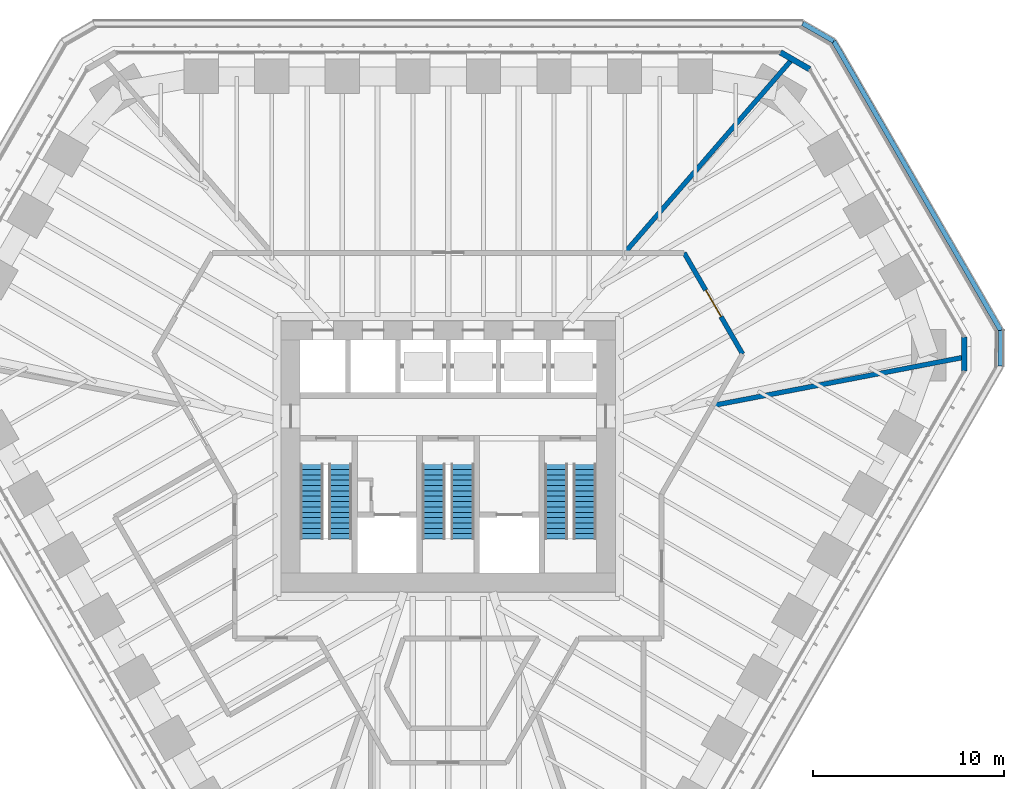
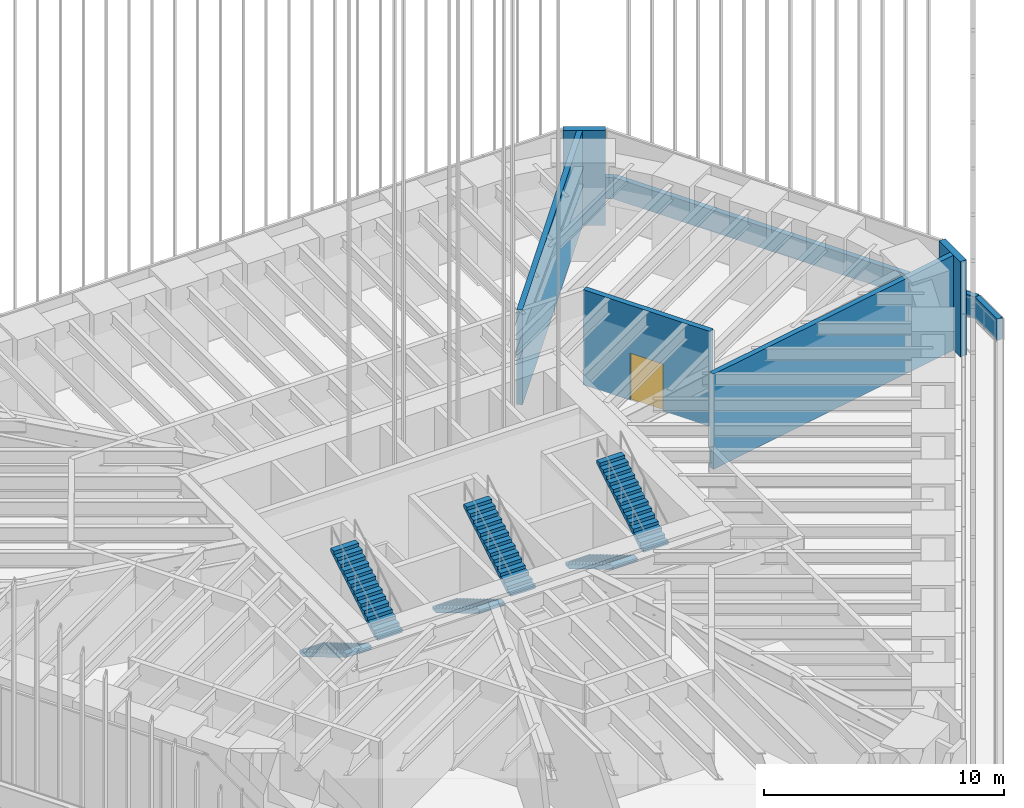
# One storey, part 222 of 228: 8 walls, 6 stair flights, 1 door, 1 opening, 3 elements without a shape of their own.
"""IFC4 building model written with IfcOpenShell, lengths in metres."""

import ifcopenshell
import ifcopenshell.guid

model = None  # the IFC model being written
_history = None  # IfcOwnerHistory: only IFC2X3 demands one
_inside = {}  # id of a spatial element -> (the spatial element, [elements in it])
_under = {}  # id of a project, library or spatial element -> (it, [spatial elements below it])
_declared = {}  # id of a project -> (the project, [libraries it declares])
_typed = {}  # id of a type object -> (the type object, [elements of that type])
_made_of = {}  # id of a material, layer set ... -> (it, [elements and type objects made of it])


def new_model(schema):
    """Start an empty IFC model of exactly this schema.

    Asked for "IFC4X3", IfcOpenShell would pick the latest addendum, in which some entities
    have other attributes; the version numbers below select the first issue.
    IFC2X3 requires an IfcOwnerHistory on every rooted entity: one is made here for all.
    """
    global model, _history
    if schema == "IFC4X3":
        model = ifcopenshell.file(schema_version=(4, 3, 0, 0))
    else:
        model = ifcopenshell.file(schema=schema)
    _inside.clear()
    _under.clear()
    _declared.clear()
    _typed.clear()
    _made_of.clear()
    _history = None
    if model.schema == "IFC2X3":
        org = make("IfcOrganization", Name="unknown")
        user = make(
            "IfcPersonAndOrganization",
            ThePerson=make("IfcPerson", FamilyName="unknown"),
            TheOrganization=org,
        )
        app = make(
            "IfcApplication",
            ApplicationDeveloper=org,
            Version="unknown",
            ApplicationFullName="unknown",
            ApplicationIdentifier="unknown",
        )
        _history = make(
            "IfcOwnerHistory",
            OwningUser=user,
            OwningApplication=app,
            ChangeAction="ADDED",
            CreationDate=0,
        )
    return model


def make(cls, **values):
    """One entity of the class cls with the attributes given. An attribute that is None is left unset."""
    return model.create_entity(
        cls, **{name: value for name, value in values.items() if value is not None}
    )


def rooted(cls, **values):
    """An entity with a GlobalId (a new one), such as an element, a storey or a relation."""
    return make(cls, GlobalId=ifcopenshell.guid.new(), OwnerHistory=_history, **values)


def si_unit(unit_type, name, prefix=None):
    """IfcSIUnit, for example si_unit("LENGTHUNIT", "METRE", prefix="MILLI")."""
    return make("IfcSIUnit", UnitType=unit_type, Prefix=prefix, Name=name)


def assignment(units):
    """IfcUnitAssignment: the units of a project."""
    return None if units is None else make("IfcUnitAssignment", Units=units)


def point(xyz):
    """IfcCartesianPoint."""
    return None if xyz is None else make("IfcCartesianPoint", Coordinates=xyz)


def direction(xyz):
    """IfcDirection."""
    return None if xyz is None else make("IfcDirection", DirectionRatios=xyz)


def frame(location, z_axis=None, x_axis=None):
    """IfcAxis2Placement3D, a coordinate frame: its origin and axes. An axis left out is left unset."""
    return make(
        "IfcAxis2Placement3D",
        Location=point(location),
        Axis=direction(z_axis),
        RefDirection=direction(x_axis),
    )


def frame_2d(location, x_axis=None):
    """IfcAxis2Placement2D, a coordinate frame in the plane: its origin and x axis."""
    return make(
        "IfcAxis2Placement2D", Location=point(location), RefDirection=direction(x_axis)
    )


def origin():
    """The frame at (0, 0, 0) with its axes left unset."""
    return frame((0.0, 0.0, 0.0))


def place(relative_to, where):
    """IfcLocalPlacement: puts the frame where relative to a parent placement (None: the world)."""
    return make(
        "IfcLocalPlacement", PlacementRelTo=relative_to, RelativePlacement=where
    )


def context(
    kind, dimensions, precision=None, world=None, true_north=None, identifier=None
):
    """IfcGeometricRepresentationContext, for example the 3D "Model" context."""
    return make(
        "IfcGeometricRepresentationContext",
        ContextIdentifier=identifier,
        ContextType=kind,
        CoordinateSpaceDimension=dimensions,
        Precision=precision,
        WorldCoordinateSystem=world,
        TrueNorth=true_north,
    )


def subcontext(parent, identifier, kind, view, scale=None):
    """IfcGeometricRepresentationSubContext, for example "Body" below "Model"."""
    return make(
        "IfcGeometricRepresentationSubContext",
        ContextIdentifier=identifier,
        ContextType=kind,
        ParentContext=parent,
        TargetScale=scale,
        TargetView=view,
    )


def project(units=None, contexts=None):
    """IfcProject with its units and contexts."""
    return rooted(
        "IfcProject",
        Name="project",
        RepresentationContexts=contexts,
        UnitsInContext=assignment(units),
    )


def spatial(cls, under=None, at=None, **own):
    """A site, building, storey or space (cls), placed at a placement, below another one or the project."""
    s = rooted(cls, ObjectPlacement=at, **own)
    if under is not None:
        _under.setdefault(under.id(), (under, []))[1].append(s)
    return s


def polyline(points):
    """IfcPolyline through the points."""
    return make("IfcPolyline", Points=[point(p) for p in points])


def profile(cls, at=None, kind="AREA", **sizes):
    """A parametric profile (cls). Its sizes go by their IFC names, for example OverallWidth=200.0."""
    return make(cls, ProfileType=kind, Position=at, **sizes)


def rectangle(**sizes):
    """IfcRectangleProfileDef."""
    return profile("IfcRectangleProfileDef", **sizes)


def outline(outer, holes=None, kind="AREA"):
    """IfcArbitraryClosedProfileDef: a profile drawn as a closed curve; with holes, ...WithVoids."""
    if holes is None:
        return make("IfcArbitraryClosedProfileDef", ProfileType=kind, OuterCurve=outer)
    return make(
        "IfcArbitraryProfileDefWithVoids",
        ProfileType=kind,
        OuterCurve=outer,
        InnerCurves=holes,
    )


def extrude(swept, where, along, depth):
    """IfcExtrudedAreaSolid: the profile swept, set in the frame where, extruded along a direction by depth."""
    return make(
        "IfcExtrudedAreaSolid",
        SweptArea=swept,
        Position=where,
        ExtrudedDirection=direction(along),
        Depth=depth,
    )


def shape(context_of_items, identifier, shape_type, items):
    """IfcShapeRepresentation: the items that make up one representation, for example the "Body"."""
    return make(
        "IfcShapeRepresentation",
        ContextOfItems=context_of_items,
        RepresentationIdentifier=identifier,
        RepresentationType=shape_type,
        Items=items,
    )


def material(Name=None, Category=None):
    """IfcMaterial."""
    return make("IfcMaterial", Name=Name, Category=Category)


def layer(
    of_material, thickness, ventilated=None, Name=None, Category=None, Priority=None
):
    """IfcMaterialLayer: one layer of a wall or slab, of a material (None: an air gap)."""
    return make(
        "IfcMaterialLayer",
        Material=of_material,
        LayerThickness=thickness,
        IsVentilated=ventilated,
        Name=Name,
        Category=Category,
        Priority=Priority,
    )


def layer_set(layers, Name=None):
    """IfcMaterialLayerSet."""
    return make("IfcMaterialLayerSet", MaterialLayers=layers, LayerSetName=Name)


def made_of(thing, what):
    """Note that an element or type object is made of a material, layer set ...; save() writes the relation."""
    if what is not None:
        _made_of.setdefault(what.id(), (what, []))[1].append(thing)
    return thing


def type_object(cls, material=None, **own):
    """A type object (cls), such as IfcWallType, which elements share."""
    return made_of(rooted(cls, **own), material)


def element(
    cls,
    number,
    at=None,
    inside=None,
    cuts=None,
    type_object=None,
    material=None,
    context=None,
    identifier="Body",
    shape_type=None,
    held_by="IfcProductDefinitionShape",
    body=None,
    shapes=None,
    **own,
):
    """One element of the class cls, such as IfcWall. Its Tag is "e" and its number.

    at: its placement. inside: the storey or other place that contains it. cuts: it is an
    opening in that element (IfcRelVoidsElement). A single representation is given by context,
    identifier, shape_type and body (its items); several are given by shapes. held_by: the class
    of the entity that holds the representations. save() writes the other relations.
    """
    e = rooted(cls, Tag="e%d" % number, ObjectPlacement=at, **own)
    if body is not None:
        shapes = [shape(context, identifier, shape_type, body)]
    if shapes is not None:
        e.Representation = make(held_by, Representations=shapes)
    if inside is not None:
        _inside.setdefault(inside.id(), (inside, []))[1].append(e)
    if cuts is not None:
        rooted(
            "IfcRelVoidsElement", RelatingBuildingElement=cuts, RelatedOpeningElement=e
        )
    if type_object is not None:
        _typed.setdefault(type_object.id(), (type_object, []))[1].append(e)
    return made_of(e, material)


def fill(opening, filler):
    """IfcRelFillsElement: the door or window that sits in an opening."""
    return rooted(
        "IfcRelFillsElement",
        RelatingOpeningElement=opening,
        RelatedBuildingElement=filler,
    )


def aggregate(whole, parts):
    """IfcRelAggregates: a whole, such as a stair, and the parts it consists of."""
    return rooted("IfcRelAggregates", RelatingObject=whole, RelatedObjects=parts)


def save(model, path):
    """Write the relations noted so far, then the file.

    IfcRelAggregates (storeys below a building ...), IfcRelContainedInSpatialStructure (elements
    in a storey), IfcRelDefinesByType, IfcRelAssociatesMaterial and IfcRelDeclares: one each for
    every whole, place, type object, material and project.
    """
    for whole, parts in _under.values():
        aggregate(whole, parts)
    for where, things in _inside.values():
        rooted(
            "IfcRelContainedInSpatialStructure",
            RelatedElements=things,
            RelatingStructure=where,
        )
    for kind, things in _typed.values():
        rooted("IfcRelDefinesByType", RelatedObjects=things, RelatingType=kind)
    for what, things in _made_of.values():
        rooted("IfcRelAssociatesMaterial", RelatedObjects=things, RelatingMaterial=what)
    for by, libraries in _declared.values():
        rooted("IfcRelDeclares", RelatingContext=by, RelatedDefinitions=libraries)
    model.write(path)


model = new_model("IFC4")

# Units and contexts
model_context = context("Model", 3, precision=1e-05, world=origin(), true_north=direction((0.0, 1.0)))
body_context = subcontext(model_context, "Body", "Model", "MODEL_VIEW")
ifc_project = project(units=[si_unit("LENGTHUNIT", "METRE"), si_unit("AREAUNIT", "SQUARE_METRE"), si_unit("VOLUMEUNIT", "CUBIC_METRE"), si_unit("PLANEANGLEUNIT", "RADIAN"), si_unit("MASSUNIT", "GRAM", prefix="KILO")], contexts=[model_context])

# Site, building, storey
site_placement = place(None, origin())
site = spatial("IfcSite", under=ifc_project, at=site_placement, CompositionType="ELEMENT")
building_placement = place(site_placement, origin())
building = spatial("IfcBuilding", under=site, at=building_placement, Name="Sandreach Pilgrim Tower", CompositionType="ELEMENT")
storey_placement = place(building_placement, frame((0.0, 0.0, 178.199951171875)))
storey = spatial("IfcBuildingStorey", under=building, at=storey_placement, Name="L44", CompositionType="ELEMENT", Elevation=178.199951171875)

# Wall, opening, door
ifc_material_1 = material(Name="Acoustic gypsum board wall, double frame", Category="gypsum")
ifc_layer_1 = layer(ifc_material_1, 0.25)
ifc_layer_set_1 = layer_set([ifc_layer_1], Name="Hall partition 250")
wall_type_1 = type_object("IfcWallType", Name="Hall partition 250", PredefinedType="PARTITIONING", material=ifc_layer_set_1)
wall_1_placement = place(storey_placement, frame((15.409912109375, 5.3701171875, 0.0), z_axis=(0.0, 0.0, 1.0), x_axis=(-0.500705519489, 0.865617688563, 0.0)))
wall_1 = element("IfcWall", 1, at=wall_1_placement, inside=storey, type_object=wall_type_1, Name="Hall partition L44-042", PredefinedType="PARTITIONING", context=body_context, shape_type="SweptSolid", body=[
    extrude(rectangle(XDim=6.111083984375, YDim=0.25, at=frame_2d((3.0556640625, 0.0))), origin(), (0.0, 0.0, 1.0), 4.840087890625),
])
opening_placement = place(wall_1_placement, frame((2.255615234375, 0.0, 0.0)))
opening = element("IfcOpeningElement", 2, at=opening_placement, cuts=wall_1, Name="Opening D16-02", PredefinedType="OPENING", context=body_context, shape_type="SweptSolid", body=[
    extrude(rectangle(XDim=1.60009765625, YDim=2.39990234375, at=frame_2d((0.800048828125, 1.199951171875))), frame((0.0, 0.125, 0.0), z_axis=(0.0, -1.0, 0.0), x_axis=(1.0, 0.0, 0.0)), (0.0, 0.0, 1.0), 0.25),
])
ifc_material_2 = material(Name="Steel door and frame", Category="steel")
door_type = type_object("IfcDoorType", Name="Hall double door", OperationType="DOUBLE_DOOR_SINGLE_SWING", PredefinedType="DOOR", material=ifc_material_2)
door_placement = place(opening_placement, origin())
door = element("IfcDoor", 3, at=door_placement, inside=storey, type_object=door_type, Name="Door 4402", OperationType="DOUBLE_DOOR_SINGLE_SWING", OverallHeight=2.39990234375, OverallWidth=1.60009765625, PredefinedType="DOOR", context=body_context, shape_type="SweptSolid", body=[
    extrude(rectangle(XDim=1.60009765625, YDim=2.39990234375, at=frame_2d((0.800048828125, 1.199951171875))), frame((0.0, 0.02490234375, 0.0), z_axis=(0.0, -1.0, 0.0), x_axis=(1.0, 0.0, 0.0)), (0.0, 0.0, 1.0), 0.050048828125),
])
fill(opening, door)

# Walls
wall_2_placement = place(storey_placement, frame((18.020263671875, 20.8173828125, 0.0), z_axis=(0.0, 0.0, 1.0), x_axis=(-0.654383739154, -0.756162629288, 0.0)))
element("IfcWall", 4, at=wall_2_placement, inside=storey, type_object=wall_type_1, Name="Hall partition L44-043", PredefinedType="PARTITIONING", context=body_context, shape_type="SweptSolid", body=[
    extrude(rectangle(XDim=13.432861328125, YDim=0.25, at=frame_2d((6.71630859375, 0.0))), origin(), (0.0, 0.0, 1.0), 4.840087890625),
])
wall_3_placement = place(storey_placement, frame((27.04052734375, 5.204345703125, 0.0), z_axis=(0.0, 0.0, 1.0), x_axis=(-0.982036771594, -0.188689637335, 0.0)))
element("IfcWall", 5, at=wall_3_placement, inside=storey, type_object=wall_type_1, Name="Hall partition L44-044", PredefinedType="PARTITIONING", context=body_context, shape_type="SweptSolid", body=[
    extrude(rectangle(XDim=13.431640625, YDim=0.25, at=frame_2d((6.7158203125, 0.0))), origin(), (0.0, 0.0, 1.0), 4.840087890625),
])
ifc_material_3 = material(Name="Concrete parapet with terracotta coping", Category="masonry")
ifc_layer_2 = layer(ifc_material_3, 0.25)
ifc_layer_set_2 = layer_set([ifc_layer_2], Name="Setback parapet")
wall_type_2 = type_object("IfcWallType", Name="Setback parapet", PredefinedType="PARAPET", material=ifc_layer_set_2)
wall_4_placement = place(storey_placement, frame((28.919189453125, 4.734130859375, 0.0), z_axis=(0.0, 0.0, 1.0), x_axis=(0.001043976986, 0.999999455056, 0.0)))
element("IfcWall", 6, at=wall_4_placement, inside=storey, type_object=wall_type_2, Name="Setback parapet L44 9", PredefinedType="PARAPET", context=body_context, shape_type="SweptSolid", body=[
    extrude(rectangle(XDim=1.870849609375, YDim=0.25, at=frame_2d((0.935546875, 0.0))), origin(), (0.0, 0.0, 1.0), 1.10009765625),
])
wall_5_placement = place(storey_placement, frame((28.921142578125, 6.60498046875, 0.0), z_axis=(0.0, 0.0, 1.0), x_axis=(-0.500000912942, 0.866024876697, 0.0)))
element("IfcWall", 7, at=wall_5_placement, inside=storey, type_object=wall_type_2, Name="Setback parapet L44 10", PredefinedType="PARAPET", context=body_context, shape_type="SweptSolid", body=[
    extrude(rectangle(XDim=17.48095703125, YDim=0.25, at=frame_2d((8.740478515625, 0.0))), origin(), (0.0, 0.0, 1.0), 1.10009765625),
])
wall_6_placement = place(storey_placement, frame((20.1806640625, 21.743896484375, 0.0), z_axis=(0.0, 0.0, 1.0), x_axis=(-0.86651128649, 0.499157480546, 0.0)))
element("IfcWall", 8, at=wall_6_placement, inside=storey, type_object=wall_type_2, Name="Setback parapet L44 11", PredefinedType="PARAPET", context=body_context, shape_type="SweptSolid", body=[
    extrude(rectangle(XDim=1.870849609375, YDim=0.25, at=frame_2d((0.935546875, 0.0))), origin(), (0.0, 0.0, 1.0), 1.10009765625),
])
ifc_material_4 = material(Name="Terracotta rainscreen on concrete", Category="masonry")
ifc_layer_3 = layer(ifc_material_4, 0.300048828125)
ifc_layer_set_3 = layer_set([ifc_layer_3], Name="Terracotta chamfer pier")
wall_type_3 = type_object("IfcWallType", Name="Terracotta chamfer pier", PredefinedType="SOLIDWALL", material=ifc_layer_set_3)
for number, where, z_axis, x_axis, name in (
    (9, (17.389892578125, 21.16015625, 0.0), (0.0, 0.0, 1.0), (0.866036293601, -0.499981137809, 0.0), "Chamfer pier L44 N"),
    (10, (27.02001953125, 6.25, 0.0), (0.0, 0.0, 1.0), (0.0, -1.0, 0.0), "Chamfer pier L44 NE"),
):
    element("IfcWall", number, at=place(storey_placement, frame(where, z_axis=z_axis, x_axis=x_axis)), inside=storey, type_object=wall_type_3, Name=name, PredefinedType="SOLIDWALL", context=body_context, shape_type="SweptSolid", body=[
        extrude(rectangle(XDim=1.77001953125, YDim=0.300048828125, at=frame_2d((0.885009765625, 0.0))), origin(), (0.0, 0.0, 1.0), 4.840087890625),
    ])

# Stair, stair flights
ifc_material_5 = material(Name="Concrete 8000 psi", Category="concrete")
stair_type = type_object("IfcStairType", Name="Core exit stair", PredefinedType="HALF_TURN_STAIR", material=ifc_material_5)
stair_1_placement = place(storey_placement, origin())
stair_1 = element("IfcStair", 11, at=stair_1_placement, inside=storey, type_object=stair_type, Name="Exit stair ST1 L44", PredefinedType="HALF_TURN_STAIR")
ifc_material_6 = material(Name="Concrete 8000 psi", Category="concrete")
stair_flight_type = type_object("IfcStairFlightType", Name="Core stair flight 1200", PredefinedType="STRAIGHT", material=ifc_material_6)
stair_flight_1_placement = place(storey_placement, frame((-7.14990234375, -0.39990234375, 0.0), z_axis=(0.0, 0.0, 1.0), x_axis=(0.0, -1.0, 0.0)))
stair_flight_1 = element("IfcStairFlight", 12, at=stair_flight_1_placement, type_object=stair_flight_type, Name="ST1 flight 1", NumberOfRisers=15, NumberOfTreads=14, PredefinedType="STRAIGHT", RiserHeight=0.166666667, TreadLength=0.28, context=body_context, shape_type="SweptSolid", body=[
    extrude(outline(polyline([(0.0, 0.0), (0.0, 0.166748046875), (0.280029296875, 0.166748046875), (0.280029296875, 0.333251953125), (0.56005859375, 0.333251953125), (0.56005859375, 0.5), (0.840087890625, 0.5), (0.840087890625, 0.666748046875), (1.1201171875, 0.666748046875), (1.1201171875, 0.833251953125), (1.39990234375, 0.833251953125), (1.39990234375, 1.0), (1.679931640625, 1.0), (1.679931640625, 1.166748046875), (1.9599609375, 1.166748046875), (1.9599609375, 1.333251953125), (2.239990234375, 1.333251953125), (2.239990234375, 1.5), (2.52001953125, 1.5), (2.52001953125, 1.666748046875), (2.800048828125, 1.666748046875), (2.800048828125, 1.833251953125), (3.080078125, 1.833251953125), (3.080078125, 2.0), (3.360107421875, 2.0), (3.360107421875, 2.166748046875), (3.639892578125, 2.166748046875), (3.639892578125, 2.333251953125), (3.919921875, 2.333251953125), (3.919921875, 2.5), (3.919921875, 2.158935546875), (0.29296875, 0.0), (0.0, 0.0)])), frame((0.0, 0.60009765625, 0.0), z_axis=(0.0, -1.0, 0.0), x_axis=(1.0, 0.0, 0.0)), (0.0, 0.0, 1.0), 1.199951171875),
])
stair_flight_2_placement = place(storey_placement, frame((-5.64990234375, -4.320068359375, 2.5), z_axis=(0.0, 0.0, 1.0), x_axis=(0.0, 1.0, 0.0)))
stair_flight_2 = element("IfcStairFlight", 13, at=stair_flight_2_placement, type_object=stair_flight_type, Name="ST1 flight 2", NumberOfRisers=15, NumberOfTreads=14, PredefinedType="STRAIGHT", RiserHeight=0.166666667, TreadLength=0.28, context=body_context, shape_type="SweptSolid", body=[
    extrude(outline(polyline([(0.0, 0.0), (0.0, 0.166748046875), (0.280029296875, 0.166748046875), (0.280029296875, 0.333251953125), (0.56005859375, 0.333251953125), (0.56005859375, 0.5), (0.840087890625, 0.5), (0.840087890625, 0.666748046875), (1.1201171875, 0.666748046875), (1.1201171875, 0.833251953125), (1.39990234375, 0.833251953125), (1.39990234375, 1.0), (1.679931640625, 1.0), (1.679931640625, 1.166748046875), (1.9599609375, 1.166748046875), (1.9599609375, 1.333251953125), (2.239990234375, 1.333251953125), (2.239990234375, 1.5), (2.52001953125, 1.5), (2.52001953125, 1.666748046875), (2.800048828125, 1.666748046875), (2.800048828125, 1.833251953125), (3.080078125, 1.833251953125), (3.080078125, 2.0), (3.360107421875, 2.0), (3.360107421875, 2.166748046875), (3.639892578125, 2.166748046875), (3.639892578125, 2.333251953125), (3.919921875, 2.333251953125), (3.919921875, 2.5), (3.919921875, 2.158935546875), (0.29296875, 0.0), (0.0, 0.0)])), frame((0.0, 0.60009765625, 0.0), z_axis=(0.0, -1.0, 0.0), x_axis=(1.0, 0.0, 0.0)), (0.0, 0.0, 1.0), 1.199951171875),
])
aggregate(stair_1, [stair_flight_1, stair_flight_2])

stair_2_placement = place(storey_placement, origin())
stair_2 = element("IfcStair", 14, at=stair_2_placement, inside=storey, type_object=stair_type, Name="Exit stair ST3 L44", PredefinedType="HALF_TURN_STAIR")
stair_flight_3_placement = place(storey_placement, frame((-0.75, -0.39990234375, 0.0), z_axis=(0.0, 0.0, 1.0), x_axis=(0.0, -1.0, 0.0)))
stair_flight_3 = element("IfcStairFlight", 15, at=stair_flight_3_placement, type_object=stair_flight_type, Name="ST3 flight 1", NumberOfRisers=15, NumberOfTreads=14, PredefinedType="STRAIGHT", RiserHeight=0.166666667, TreadLength=0.28, context=body_context, shape_type="SweptSolid", body=[
    extrude(outline(polyline([(0.0, 0.0), (0.0, 0.166748046875), (0.280029296875, 0.166748046875), (0.280029296875, 0.333251953125), (0.56005859375, 0.333251953125), (0.56005859375, 0.5), (0.840087890625, 0.5), (0.840087890625, 0.666748046875), (1.1201171875, 0.666748046875), (1.1201171875, 0.833251953125), (1.39990234375, 0.833251953125), (1.39990234375, 1.0), (1.679931640625, 1.0), (1.679931640625, 1.166748046875), (1.9599609375, 1.166748046875), (1.9599609375, 1.333251953125), (2.239990234375, 1.333251953125), (2.239990234375, 1.5), (2.52001953125, 1.5), (2.52001953125, 1.666748046875), (2.800048828125, 1.666748046875), (2.800048828125, 1.833251953125), (3.080078125, 1.833251953125), (3.080078125, 2.0), (3.360107421875, 2.0), (3.360107421875, 2.166748046875), (3.639892578125, 2.166748046875), (3.639892578125, 2.333251953125), (3.919921875, 2.333251953125), (3.919921875, 2.5), (3.919921875, 2.158935546875), (0.29296875, 0.0), (0.0, 0.0)])), frame((0.0, 0.60009765625, 0.0), z_axis=(0.0, -1.0, 0.0), x_axis=(1.0, 0.0, 0.0)), (0.0, 0.0, 1.0), 1.199951171875),
])
stair_flight_4_placement = place(storey_placement, frame((0.75, -4.320068359375, 2.5), z_axis=(0.0, 0.0, 1.0), x_axis=(0.0, 1.0, 0.0)))
stair_flight_4 = element("IfcStairFlight", 16, at=stair_flight_4_placement, type_object=stair_flight_type, Name="ST3 flight 2", NumberOfRisers=15, NumberOfTreads=14, PredefinedType="STRAIGHT", RiserHeight=0.166666667, TreadLength=0.28, context=body_context, shape_type="SweptSolid", body=[
    extrude(outline(polyline([(0.0, 0.0), (0.0, 0.166748046875), (0.280029296875, 0.166748046875), (0.280029296875, 0.333251953125), (0.56005859375, 0.333251953125), (0.56005859375, 0.5), (0.840087890625, 0.5), (0.840087890625, 0.666748046875), (1.1201171875, 0.666748046875), (1.1201171875, 0.833251953125), (1.39990234375, 0.833251953125), (1.39990234375, 1.0), (1.679931640625, 1.0), (1.679931640625, 1.166748046875), (1.9599609375, 1.166748046875), (1.9599609375, 1.333251953125), (2.239990234375, 1.333251953125), (2.239990234375, 1.5), (2.52001953125, 1.5), (2.52001953125, 1.666748046875), (2.800048828125, 1.666748046875), (2.800048828125, 1.833251953125), (3.080078125, 1.833251953125), (3.080078125, 2.0), (3.360107421875, 2.0), (3.360107421875, 2.166748046875), (3.639892578125, 2.166748046875), (3.639892578125, 2.333251953125), (3.919921875, 2.333251953125), (3.919921875, 2.5), (3.919921875, 2.158935546875), (0.29296875, 0.0), (0.0, 0.0)])), frame((0.0, 0.60009765625, 0.0), z_axis=(0.0, -1.0, 0.0), x_axis=(1.0, 0.0, 0.0)), (0.0, 0.0, 1.0), 1.199951171875),
])
aggregate(stair_2, [stair_flight_3, stair_flight_4])

stair_3_placement = place(storey_placement, origin())
stair_3 = element("IfcStair", 17, at=stair_3_placement, inside=storey, type_object=stair_type, Name="Exit stair ST2 L44", PredefinedType="HALF_TURN_STAIR")
stair_flight_5_placement = place(storey_placement, frame((5.64990234375, -0.39990234375, 0.0), z_axis=(0.0, 0.0, 1.0), x_axis=(0.0, -1.0, 0.0)))
stair_flight_5 = element("IfcStairFlight", 18, at=stair_flight_5_placement, type_object=stair_flight_type, Name="ST2 flight 1", NumberOfRisers=15, NumberOfTreads=14, PredefinedType="STRAIGHT", RiserHeight=0.166666667, TreadLength=0.28, context=body_context, shape_type="SweptSolid", body=[
    extrude(outline(polyline([(0.0, 0.0), (0.0, 0.166748046875), (0.280029296875, 0.166748046875), (0.280029296875, 0.333251953125), (0.56005859375, 0.333251953125), (0.56005859375, 0.5), (0.840087890625, 0.5), (0.840087890625, 0.666748046875), (1.1201171875, 0.666748046875), (1.1201171875, 0.833251953125), (1.39990234375, 0.833251953125), (1.39990234375, 1.0), (1.679931640625, 1.0), (1.679931640625, 1.166748046875), (1.9599609375, 1.166748046875), (1.9599609375, 1.333251953125), (2.239990234375, 1.333251953125), (2.239990234375, 1.5), (2.52001953125, 1.5), (2.52001953125, 1.666748046875), (2.800048828125, 1.666748046875), (2.800048828125, 1.833251953125), (3.080078125, 1.833251953125), (3.080078125, 2.0), (3.360107421875, 2.0), (3.360107421875, 2.166748046875), (3.639892578125, 2.166748046875), (3.639892578125, 2.333251953125), (3.919921875, 2.333251953125), (3.919921875, 2.5), (3.919921875, 2.158935546875), (0.29296875, 0.0), (0.0, 0.0)])), frame((0.0, 0.60009765625, 0.0), z_axis=(0.0, -1.0, 0.0), x_axis=(1.0, 0.0, 0.0)), (0.0, 0.0, 1.0), 1.199951171875),
])
stair_flight_6_placement = place(storey_placement, frame((7.14990234375, -4.320068359375, 2.5), z_axis=(0.0, 0.0, 1.0), x_axis=(0.0, 1.0, 0.0)))
stair_flight_6 = element("IfcStairFlight", 19, at=stair_flight_6_placement, type_object=stair_flight_type, Name="ST2 flight 2", NumberOfRisers=15, NumberOfTreads=14, PredefinedType="STRAIGHT", RiserHeight=0.166666667, TreadLength=0.28, context=body_context, shape_type="SweptSolid", body=[
    extrude(outline(polyline([(0.0, 0.0), (0.0, 0.166748046875), (0.280029296875, 0.166748046875), (0.280029296875, 0.333251953125), (0.56005859375, 0.333251953125), (0.56005859375, 0.5), (0.840087890625, 0.5), (0.840087890625, 0.666748046875), (1.1201171875, 0.666748046875), (1.1201171875, 0.833251953125), (1.39990234375, 0.833251953125), (1.39990234375, 1.0), (1.679931640625, 1.0), (1.679931640625, 1.166748046875), (1.9599609375, 1.166748046875), (1.9599609375, 1.333251953125), (2.239990234375, 1.333251953125), (2.239990234375, 1.5), (2.52001953125, 1.5), (2.52001953125, 1.666748046875), (2.800048828125, 1.666748046875), (2.800048828125, 1.833251953125), (3.080078125, 1.833251953125), (3.080078125, 2.0), (3.360107421875, 2.0), (3.360107421875, 2.166748046875), (3.639892578125, 2.166748046875), (3.639892578125, 2.333251953125), (3.919921875, 2.333251953125), (3.919921875, 2.5), (3.919921875, 2.158935546875), (0.29296875, 0.0), (0.0, 0.0)])), frame((0.0, 0.60009765625, 0.0), z_axis=(0.0, -1.0, 0.0), x_axis=(1.0, 0.0, 0.0)), (0.0, 0.0, 1.0), 1.199951171875),
])
aggregate(stair_3, [stair_flight_5, stair_flight_6])

save(model, "model.ifc")
